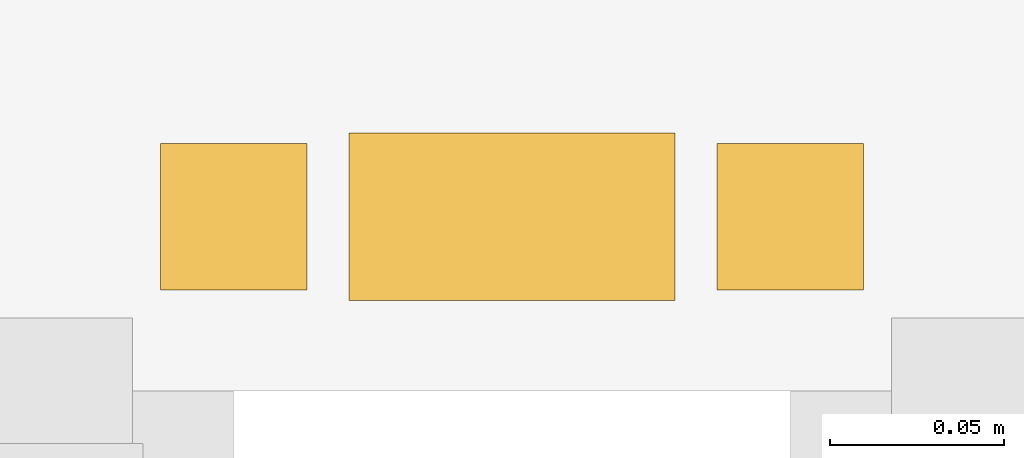
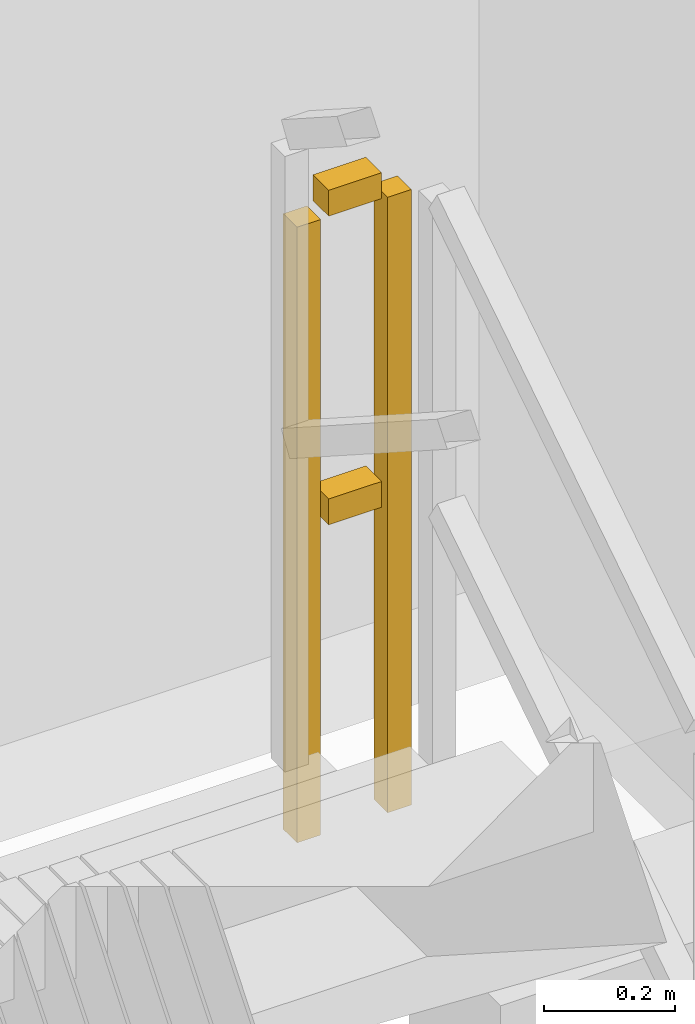
# One storey, part 25 of 27: 1 railing.
"""IFC4 building model written with IfcOpenShell, lengths in metres."""

from ifc_helpers import new_model, si_unit, direction, frame, origin, origin_2d, place, context, subcontext, project, spatial, rectangle, extrude, material, type_object, element, save


model = new_model("IFC4")

# Units and contexts
model_context = context("Model", 3, precision=1e-05, world=origin(), true_north=direction((0.0, 1.0)))
body_context = subcontext(model_context, "Body", "Model", "MODEL_VIEW")
ifc_project = project(units=[si_unit("LENGTHUNIT", "METRE"), si_unit("AREAUNIT", "SQUARE_METRE"), si_unit("VOLUMEUNIT", "CUBIC_METRE"), si_unit("PLANEANGLEUNIT", "RADIAN"), si_unit("MASSUNIT", "GRAM", prefix="KILO")], contexts=[model_context])

# Site, building, storey
site_placement = place(None, origin())
site = spatial("IfcSite", under=ifc_project, at=site_placement, CompositionType="ELEMENT")
building_placement = place(site_placement, origin())
building = spatial("IfcBuilding", under=site, at=building_placement, Name="Saelheon Loggia Tower", CompositionType="ELEMENT")
storey_placement = place(building_placement, frame((0.0, 0.0, 4.199951171875)))
storey = spatial("IfcBuildingStorey", under=building, at=storey_placement, Name="L01", CompositionType="ELEMENT", Elevation=4.199951171875)

# Railing
ifc_material = material(Name="Galvanised Steel S275 Stairwell Guardrail", Category="steel")
railing_type = type_object("IfcRailingType", Name="Guard_StairWell_RL_STG", PredefinedType="GUARDRAIL", material=ifc_material)
railing_placement = place(storey_placement, frame((42.489990234375, 33.02001953125, 1.800048828125)))
element("IfcRailing", 1, at=railing_placement, inside=storey, type_object=railing_type, Name="L01 ST2 stair guard 2", PredefinedType="GUARDRAIL", context=body_context, shape_type="SweptSolid", body=[
    extrude(rectangle(XDim=0.048095703125, YDim=0.048095703125, at=origin_2d()), frame((-0.033203125, 0.0, 1.17578125), z_axis=(-1.0, 0.0, 0.0), x_axis=(0.0, -1.0, 0.0)), (0.0, 0.0, 1.0), 0.093505859375),
    extrude(rectangle(XDim=0.048095703125, YDim=0.048095703125, at=origin_2d()), frame((-0.033203125, 0.0, 0.60009765625), z_axis=(-1.0, 0.0, 0.0), x_axis=(0.0, -1.0, 0.0)), (0.0, 0.0, 1.0), 0.093505859375),
    extrude(rectangle(XDim=0.0419921875, YDim=0.0419921875, at=origin_2d()), origin(), (0.0, 0.0, 1.0), 1.14794921875),
    extrude(rectangle(XDim=0.0419921875, YDim=0.0419921875, at=origin_2d()), frame((-0.159912109375, 0.0, 0.0)), (0.0, 0.0, 1.0), 1.14794921875),
])

save(model, "model.ifc")
